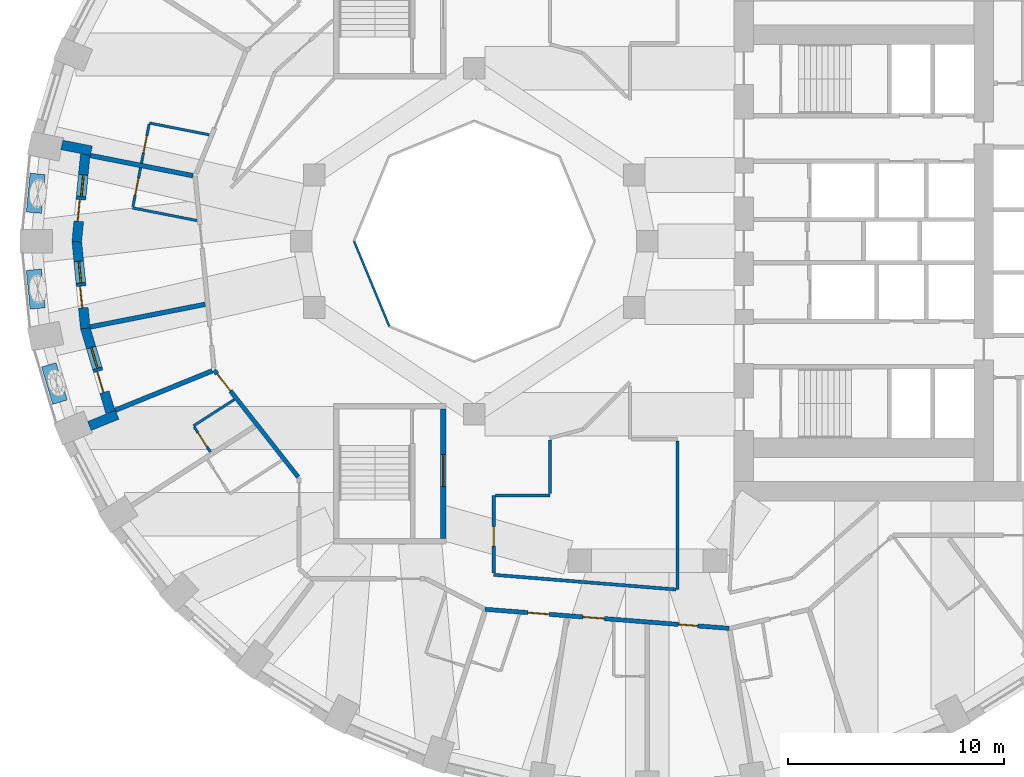
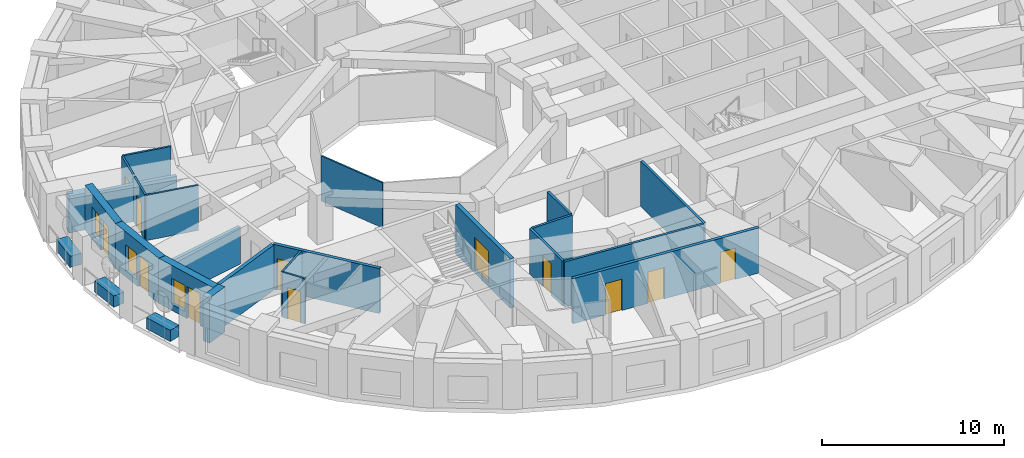
# One storey, part 4 of 13: 26 walls, 12 doors, 3 windows, 15 openings.
"""IFC4 building model written with IfcOpenShell, lengths in metres."""

from ifc_helpers import new_model, si_unit, direction, frame, frame_2d, origin, place, context, subcontext, project, spatial, rectangle, extrude, material, layer, layer_set, constituent, constituent_set, type_object, element, fill, save


model = new_model("IFC4")

# Units and contexts
model_context = context("Model", 3, precision=1e-05, world=origin(), true_north=direction((0.0, 1.0)))
body_context = subcontext(model_context, "Body", "Model", "MODEL_VIEW")
ifc_project = project(units=[si_unit("LENGTHUNIT", "METRE"), si_unit("AREAUNIT", "SQUARE_METRE"), si_unit("VOLUMEUNIT", "CUBIC_METRE"), si_unit("PLANEANGLEUNIT", "RADIAN"), si_unit("MASSUNIT", "GRAM", prefix="KILO")], contexts=[model_context])

# Site, building, storey
site_placement = place(None, origin())
site = spatial("IfcSite", under=ifc_project, at=site_placement, CompositionType="ELEMENT")
building_placement = place(site_placement, origin())
building = spatial("IfcBuilding", under=site, at=building_placement, Name="Taillehof Tower", CompositionType="ELEMENT")
storey_placement = place(building_placement, frame((0.0, 0.0, 61.300048828125)))
storey = spatial("IfcBuildingStorey", under=building, at=storey_placement, Name="L16", CompositionType="ELEMENT", Elevation=61.300048828125)

# Walls
ifc_material_1 = material(Name="Fire-resisting glass in steel frame", Category="steel")
ifc_layer_1 = layer(ifc_material_1, 0.10009765625)
ifc_layer_set_1 = layer_set([ifc_layer_1], Name="Atrium fire-resisting screen EI 60 100")
wall_type_1 = type_object("IfcWallType", Name="Atrium fire-resisting screen EI 60 100", PredefinedType="PARTITIONING", material=ifc_layer_set_1)
wall_1_placement = place(storey_placement, frame((-11.92724609375, -3.92724609375, 0.0), z_axis=(0.0, 0.0, 1.0), x_axis=(-0.382730523909, 0.923860025149, 0.0)))
element("IfcWall", 1, at=wall_1_placement, inside=storey, type_object=wall_type_1, Name="Atrium screen", PredefinedType="PARTITIONING", context=body_context, shape_type="SweptSolid", body=[
    extrude(rectangle(XDim=4.2509765625, YDim=0.10009765625, at=frame_2d((2.12548828125, 0.0))), origin(), (0.0, 0.0, 1.0), 3.02001953125),
])
ifc_material_2 = material(Name="Brick masonry", Category="masonry")
ifc_layer_2 = layer(ifc_material_2, 0.449951171875)
ifc_layer_set_2 = layer_set([ifc_layer_2], Name="Brick infill wall 450")
wall_type_2 = type_object("IfcWallType", Name="Brick infill wall 450", PredefinedType="SOLIDWALL", material=ifc_layer_set_2)
wall_2_placement = place(storey_placement, frame((-27.06396484375, 4.449951171875, 0.0), z_axis=(0.0, 0.0, 1.0), x_axis=(0.98123042829, -0.192838913596, 0.0)))
element("IfcWall", 2, at=wall_2_placement, inside=storey, type_object=wall_type_2, Name="Brick reveal L16 pocket 5", PredefinedType="SOLIDWALL", context=body_context, shape_type="SweptSolid", body=[
    extrude(rectangle(XDim=1.39013671875, YDim=0.449951171875, at=frame_2d((0.695068359375, 0.0))), origin(), (0.0, 0.0, 1.0), 2.469970703125),
])
wall_3_placement = place(storey_placement, frame((-25.795654296875, -8.54443359375, 0.0), z_axis=(0.0, 0.0, 1.0), x_axis=(0.926575599743, 0.376108572039, 0.0)))
element("IfcWall", 3, at=wall_3_placement, inside=storey, type_object=wall_type_2, Name="Brick reveal L16 pocket 5", PredefinedType="SOLIDWALL", context=body_context, shape_type="SweptSolid", body=[
    extrude(rectangle(XDim=1.390380859375, YDim=0.449951171875, at=frame_2d((0.6953125, 0.0))), origin(), (0.0, 0.0, 1.0), 3.02001953125),
])

# Wall, openings, door, window
wall_4_placement = place(storey_placement, frame((-25.982666015625, 4.008056640625, 0.0), z_axis=(0.0, 0.0, 1.0), x_axis=(-0.097133468736, -0.995271364629, 0.0)))
wall_4 = element("IfcWall", 4, at=wall_4_placement, inside=storey, type_object=wall_type_2, Name="Brick wall L16 pocket bay 18", PredefinedType="SOLIDWALL", context=body_context, shape_type="SweptSolid", body=[
    extrude(rectangle(XDim=4.049072265625, YDim=0.449951171875, at=frame_2d((2.0244140625, 0.0))), origin(), (0.0, 0.0, 1.0), 3.02001953125),
])
opening_1_placement = place(wall_4_placement, frame((0.949462890625, 0.0, 0.39990234375)))
opening_1 = element("IfcOpeningElement", 5, at=opening_1_placement, cuts=wall_4, Name="Opening W5", PredefinedType="OPENING", context=body_context, shape_type="SweptSolid", body=[
    extrude(rectangle(XDim=1.0, YDim=1.75, at=frame_2d((0.5, 0.875))), frame((0.0, 0.23486328125, 0.0), z_axis=(0.0, -1.0, 0.0), x_axis=(1.0, 0.0, 0.0)), (0.0, 0.0, 1.0), 0.469970703125),
])
opening_2_placement = place(wall_4_placement, frame((2.099609375, 0.0, 0.0)))
opening_2 = element("IfcOpeningElement", 6, at=opening_2_placement, cuts=wall_4, Name="Opening D1691", PredefinedType="OPENING", context=body_context, shape_type="SweptSolid", body=[
    extrude(rectangle(XDim=1.0, YDim=2.14990234375, at=frame_2d((0.5, 1.074951171875))), frame((0.0, 0.23486328125, 0.0), z_axis=(0.0, -1.0, 0.0), x_axis=(1.0, 0.0, 0.0)), (0.0, 0.0, 1.0), 0.469970703125),
])
ifc_material_3 = material(Name="Aluminium door frame with clear double glazing", Category="aluminium")
door_type_1 = type_object("IfcDoorType", Name="Balcony door 1000x2150", OperationType="SINGLE_SWING_RIGHT", PredefinedType="DOOR", material=ifc_material_3)
door_1_placement = place(opening_2_placement, frame((1.0, 0.0, 0.0), z_axis=(0.0, 0.0, 1.0), x_axis=(-1.0, 0.0, 0.0)))
door_1 = element("IfcDoor", 7, at=door_1_placement, inside=storey, type_object=door_type_1, Name="Balcony door L16 bay 18", OperationType="SINGLE_SWING_RIGHT", OverallHeight=2.14990234375, OverallWidth=1.0, PredefinedType="DOOR", context=body_context, shape_type="SweptSolid", body=[
    extrude(rectangle(XDim=1.0, YDim=2.14990234375, at=frame_2d((0.5, 1.074951171875))), frame((0.0, 0.0751953125, 0.0), z_axis=(0.0, -1.0, 0.0), x_axis=(1.0, 0.0, 0.0)), (0.0, 0.0, 1.0), 0.050048828125),
])
fill(opening_2, door_1)
ifc_material_4 = material(Name="Aluminium window frame with clear double glazing", Category="aluminium")
window_type = type_object("IfcWindowType", Name="Fixed window 1000x1750", PartitioningType="SINGLE_PANEL", PredefinedType="WINDOW", material=ifc_material_4)
window_1_placement = place(opening_1_placement, origin())
window_1 = element("IfcWindow", 8, at=window_1_placement, inside=storey, type_object=window_type, Name="W5", OverallHeight=1.75, OverallWidth=1.0, PartitioningType="SINGLE_PANEL", PredefinedType="WINDOW", context=body_context, shape_type="SweptSolid", body=[
    extrude(rectangle(XDim=1.0, YDim=1.75, at=frame_2d((0.5, 0.875))), frame((0.0, 0.034912109375, 0.0), z_axis=(0.0, -1.0, 0.0), x_axis=(1.0, 0.0, 0.0)), (0.0, 0.0, 1.0), 0.06005859375),
])
fill(opening_1, window_1)

wall_5_placement = place(storey_placement, frame((-26.3759765625, 0.02197265625, 0.0), z_axis=(0.0, 0.0, 1.0), x_axis=(0.097092719726, -0.995275340685, 0.0)))
wall_5 = element("IfcWall", 9, at=wall_5_placement, inside=storey, type_object=wall_type_2, Name="Brick wall L16 pocket bay 19", PredefinedType="SOLIDWALL", context=body_context, shape_type="SweptSolid", body=[
    extrude(rectangle(XDim=4.071044921875, YDim=0.449951171875, at=frame_2d((2.03564453125, 0.0))), origin(), (0.0, 0.0, 1.0), 3.02001953125),
])
opening_3_placement = place(wall_5_placement, frame((0.96044921875, 0.0, 0.39990234375)))
opening_3 = element("IfcOpeningElement", 10, at=opening_3_placement, cuts=wall_5, Name="Opening W5", PredefinedType="OPENING", context=body_context, shape_type="SweptSolid", body=[
    extrude(rectangle(XDim=1.0, YDim=1.75, at=frame_2d((0.5, 0.875))), frame((0.0, 0.23486328125, 0.0), z_axis=(0.0, -1.0, 0.0), x_axis=(1.0, 0.0, 0.0)), (0.0, 0.0, 1.0), 0.469970703125),
])
opening_4_placement = place(wall_5_placement, frame((2.110595703125, 0.0, 0.0)))
opening_4 = element("IfcOpeningElement", 11, at=opening_4_placement, cuts=wall_5, Name="Opening D1692", PredefinedType="OPENING", context=body_context, shape_type="SweptSolid", body=[
    extrude(rectangle(XDim=1.0, YDim=2.14990234375, at=frame_2d((0.5, 1.074951171875))), frame((0.0, 0.23486328125, 0.0), z_axis=(0.0, -1.0, 0.0), x_axis=(1.0, 0.0, 0.0)), (0.0, 0.0, 1.0), 0.469970703125),
])
door_2_placement = place(opening_4_placement, frame((1.0, 0.0, 0.0), z_axis=(0.0, 0.0, 1.0), x_axis=(-1.0, 0.0, 0.0)))
door_2 = element("IfcDoor", 12, at=door_2_placement, inside=storey, type_object=door_type_1, Name="Balcony door L16 bay 19", OperationType="SINGLE_SWING_LEFT", OverallHeight=2.14990234375, OverallWidth=1.0, PredefinedType="DOOR", context=body_context, shape_type="SweptSolid", body=[
    extrude(rectangle(XDim=1.0, YDim=2.14990234375, at=frame_2d((0.5, 1.074951171875))), frame((0.0, 0.0751953125, 0.0), z_axis=(0.0, -1.0, 0.0), x_axis=(1.0, 0.0, 0.0)), (0.0, 0.0, 1.0), 0.050048828125),
])
fill(opening_4, door_2)
window_2_placement = place(opening_3_placement, origin())
window_2 = element("IfcWindow", 13, at=window_2_placement, inside=storey, type_object=window_type, Name="W5", OverallHeight=1.75, OverallWidth=1.0, PartitioningType="SINGLE_PANEL", PredefinedType="WINDOW", context=body_context, shape_type="SweptSolid", body=[
    extrude(rectangle(XDim=1.0, YDim=1.75, at=frame_2d((0.5, 0.875))), frame((0.0, 0.034912109375, 0.0), z_axis=(0.0, -1.0, 0.0), x_axis=(1.0, 0.0, 0.0)), (0.0, 0.0, 1.0), 0.06005859375),
])
fill(opening_3, window_2)

wall_6_placement = place(storey_placement, frame((-25.989013671875, -3.9873046875, 0.0), z_axis=(0.0, 0.0, 1.0), x_axis=(0.286427456555, -0.958101932015, 0.0)))
wall_6 = element("IfcWall", 14, at=wall_6_placement, inside=storey, type_object=wall_type_2, Name="Brick wall L16 pocket bay 20", PredefinedType="SOLIDWALL", context=body_context, shape_type="SweptSolid", body=[
    extrude(rectangle(XDim=4.0888671875, YDim=0.449951171875, at=frame_2d((2.04443359375, 0.0))), origin(), (0.0, 0.0, 1.0), 3.02001953125),
])
opening_5_placement = place(wall_6_placement, frame((0.969482421875, 0.0, 0.39990234375)))
opening_5 = element("IfcOpeningElement", 15, at=opening_5_placement, cuts=wall_6, Name="Opening W5", PredefinedType="OPENING", context=body_context, shape_type="SweptSolid", body=[
    extrude(rectangle(XDim=1.0, YDim=1.75, at=frame_2d((0.5, 0.875))), frame((0.0, 0.23486328125, 0.0), z_axis=(0.0, -1.0, 0.0), x_axis=(1.0, 0.0, 0.0)), (0.0, 0.0, 1.0), 0.469970703125),
])
opening_6_placement = place(wall_6_placement, frame((2.119384765625, 0.0, 0.0)))
opening_6 = element("IfcOpeningElement", 16, at=opening_6_placement, cuts=wall_6, Name="Opening D1693", PredefinedType="OPENING", context=body_context, shape_type="SweptSolid", body=[
    extrude(rectangle(XDim=1.0, YDim=2.14990234375, at=frame_2d((0.5, 1.074951171875))), frame((0.0, 0.23486328125, 0.0), z_axis=(0.0, -1.0, 0.0), x_axis=(1.0, 0.0, 0.0)), (0.0, 0.0, 1.0), 0.469970703125),
])
door_3_placement = place(opening_6_placement, frame((1.0, 0.0, 0.0), z_axis=(0.0, 0.0, 1.0), x_axis=(-1.0, 0.0, 0.0)))
door_3 = element("IfcDoor", 17, at=door_3_placement, inside=storey, type_object=door_type_1, Name="Balcony door L16 bay 20", OperationType="SINGLE_SWING_LEFT", OverallHeight=2.14990234375, OverallWidth=1.0, PredefinedType="DOOR", context=body_context, shape_type="SweptSolid", body=[
    extrude(rectangle(XDim=1.0, YDim=2.14990234375, at=frame_2d((0.5, 1.074951171875))), frame((0.0, 0.0751953125, 0.0), z_axis=(0.0, -1.0, 0.0), x_axis=(1.0, 0.0, 0.0)), (0.0, 0.0, 1.0), 0.050048828125),
])
fill(opening_6, door_3)
window_3_placement = place(opening_5_placement, origin())
window_3 = element("IfcWindow", 18, at=window_3_placement, inside=storey, type_object=window_type, Name="W5", OverallHeight=1.75, OverallWidth=1.0, PartitioningType="SINGLE_PANEL", PredefinedType="WINDOW", context=body_context, shape_type="SweptSolid", body=[
    extrude(rectangle(XDim=1.0, YDim=1.75, at=frame_2d((0.5, 0.875))), frame((0.0, 0.034912109375, 0.0), z_axis=(0.0, -1.0, 0.0), x_axis=(1.0, 0.0, 0.0)), (0.0, 0.0, 1.0), 0.06005859375),
])
fill(opening_5, window_3)

# Wall, openings, doors
ifc_material_5 = material(Name="Gypsum board on steel studs, two layers each side", Category="steel")
ifc_layer_3 = layer(ifc_material_5, 0.199951171875)
ifc_layer_set_3 = layer_set([ifc_layer_3], Name="Compartment wall corridor 200")
wall_type_3 = type_object("IfcWallType", Name="Compartment wall corridor 200", PredefinedType="PARTITIONING", material=ifc_layer_set_3)
wall_7_placement = place(storey_placement, frame((3.77783203125, -17.897705078125, 0.0), z_axis=(0.0, 0.0, 1.0), x_axis=(-0.996963005503, 0.077876605336, 0.0)))
wall_7 = element("IfcWall", 19, at=wall_7_placement, inside=storey, type_object=wall_type_3, Name="Compartment wall", PredefinedType="PARTITIONING", context=body_context, shape_type="SweptSolid", body=[
    extrude(rectangle(XDim=11.31103515625, YDim=0.199951171875, at=frame_2d((5.655517578125, 0.0))), origin(), (0.0, 0.0, 1.0), 3.02001953125),
])
opening_7_placement = place(wall_7_placement, frame((8.32958984375, 0.0, 0.0)))
opening_7 = element("IfcOpeningElement", 20, at=opening_7_placement, cuts=wall_7, Name="Opening D1666", PredefinedType="OPENING", context=body_context, shape_type="SweptSolid", body=[
    extrude(rectangle(XDim=1.0, YDim=2.10009765625, at=frame_2d((0.5, 1.050048828125))), frame((0.0, 0.10986328125, 0.0), z_axis=(0.0, -1.0, 0.0), x_axis=(1.0, 0.0, 0.0)), (0.0, 0.0, 1.0), 0.219970703125),
])
opening_8_placement = place(wall_7_placement, frame((5.77001953125, 0.0, 0.0)))
opening_8 = element("IfcOpeningElement", 21, at=opening_8_placement, cuts=wall_7, Name="Opening D1668", PredefinedType="OPENING", context=body_context, shape_type="SweptSolid", body=[
    extrude(rectangle(XDim=1.0, YDim=2.10009765625, at=frame_2d((0.5, 1.050048828125))), frame((0.0, 0.10986328125, 0.0), z_axis=(0.0, -1.0, 0.0), x_axis=(1.0, 0.0, 0.0)), (0.0, 0.0, 1.0), 0.219970703125),
])
opening_9_placement = place(wall_7_placement, frame((1.44970703125, 0.0, 0.0)))
opening_9 = element("IfcOpeningElement", 22, at=opening_9_placement, cuts=wall_7, Name="Opening D1670", PredefinedType="OPENING", context=body_context, shape_type="SweptSolid", body=[
    extrude(rectangle(XDim=0.89990234375, YDim=2.10009765625, at=frame_2d((0.449951171875, 1.050048828125))), frame((0.0, 0.10986328125, 0.0), z_axis=(0.0, -1.0, 0.0), x_axis=(1.0, 0.0, 0.0)), (0.0, 0.0, 1.0), 0.219970703125),
])
ifc_material_6 = material(Name="Timber door leaf in steel frame", Category="steel")
door_type_2 = type_object("IfcDoorType", Name="Guest room door EI 30 1000 x 2100", OperationType="SINGLE_SWING_LEFT", PredefinedType="DOOR", material=ifc_material_6)
door_4_placement = place(opening_7_placement, origin())
door_4 = element("IfcDoor", 23, at=door_4_placement, inside=storey, type_object=door_type_2, Name="D1666", OperationType="SINGLE_SWING_RIGHT", OverallHeight=2.10009765625, OverallWidth=1.0, PredefinedType="DOOR", context=body_context, shape_type="SweptSolid", body=[
    extrude(rectangle(XDim=1.0, YDim=2.10009765625, at=frame_2d((0.5, 1.050048828125))), frame((0.0, 0.02490234375, 0.0), z_axis=(0.0, -1.0, 0.0), x_axis=(1.0, 0.0, 0.0)), (0.0, 0.0, 1.0), 0.050048828125),
])
fill(opening_7, door_4)
door_5_placement = place(opening_8_placement, origin())
door_5 = element("IfcDoor", 24, at=door_5_placement, inside=storey, type_object=door_type_2, Name="D1668", OperationType="SINGLE_SWING_LEFT", OverallHeight=2.10009765625, OverallWidth=1.0, PredefinedType="DOOR", context=body_context, shape_type="SweptSolid", body=[
    extrude(rectangle(XDim=1.0, YDim=2.10009765625, at=frame_2d((0.5, 1.050048828125))), frame((0.0, 0.02490234375, 0.0), z_axis=(0.0, -1.0, 0.0), x_axis=(1.0, 0.0, 0.0)), (0.0, 0.0, 1.0), 0.050048828125),
])
fill(opening_8, door_5)
ifc_material_7 = material(Name="Timber door leaf in steel frame", Category="steel")
door_type_3 = type_object("IfcDoorType", Name="Service room door EI 30 900 x 2100", OperationType="SINGLE_SWING_LEFT", PredefinedType="DOOR", material=ifc_material_7)
door_6_placement = place(opening_9_placement, origin())
door_6 = element("IfcDoor", 25, at=door_6_placement, inside=storey, type_object=door_type_3, Name="D1670", OperationType="SINGLE_SWING_RIGHT", OverallHeight=2.10009765625, OverallWidth=0.89990234375, PredefinedType="DOOR", context=body_context, shape_type="SweptSolid", body=[
    extrude(rectangle(XDim=0.89990234375, YDim=2.10009765625, at=frame_2d((0.449951171875, 1.050048828125))), frame((0.0, 0.02490234375, 0.0), z_axis=(0.0, -1.0, 0.0), x_axis=(1.0, 0.0, 0.0)), (0.0, 0.0, 1.0), 0.050048828125),
])
fill(opening_9, door_6)

# Wall, opening, door
wall_8_placement = place(storey_placement, frame((-16.137451171875, -10.904052734375, 0.0), z_axis=(0.0, 0.0, 1.0), x_axis=(-0.617888403737, 0.786265807808, 0.0)))
wall_8 = element("IfcWall", 26, at=wall_8_placement, inside=storey, type_object=wall_type_3, Name="Compartment wall", PredefinedType="PARTITIONING", context=body_context, shape_type="SweptSolid", body=[
    extrude(rectangle(XDim=6.2900390625, YDim=0.199951171875, at=frame_2d((3.14501953125, 0.0))), origin(), (0.0, 0.0, 1.0), 3.02001953125),
])
opening_10_placement = place(wall_8_placement, frame((5.06982421875, 0.0, 0.0)))
opening_10 = element("IfcOpeningElement", 27, at=opening_10_placement, cuts=wall_8, Name="Opening D1660", PredefinedType="OPENING", context=body_context, shape_type="SweptSolid", body=[
    extrude(rectangle(XDim=1.0, YDim=2.10009765625, at=frame_2d((0.5, 1.050048828125))), frame((0.0, 0.10986328125, 0.0), z_axis=(0.0, -1.0, 0.0), x_axis=(1.0, 0.0, 0.0)), (0.0, 0.0, 1.0), 0.219970703125),
])
door_7_placement = place(opening_10_placement, origin())
door_7 = element("IfcDoor", 28, at=door_7_placement, inside=storey, type_object=door_type_2, Name="D1660", OperationType="SINGLE_SWING_RIGHT", OverallHeight=2.10009765625, OverallWidth=1.0, PredefinedType="DOOR", context=body_context, shape_type="SweptSolid", body=[
    extrude(rectangle(XDim=1.0, YDim=2.10009765625, at=frame_2d((0.5, 1.050048828125))), frame((0.0, 0.02490234375, 0.0), z_axis=(0.0, -1.0, 0.0), x_axis=(1.0, 0.0, 0.0)), (0.0, 0.0, 1.0), 0.050048828125),
])
fill(opening_10, door_7)

# Walls
ifc_material_8 = material(Name="Gypsum board on double steel studs with mineral wool", Category="steel")
ifc_layer_4 = layer(ifc_material_8, 0.219970703125)
ifc_layer_set_4 = layer_set([ifc_layer_4], Name="Compartment wall guest room 220")
wall_type_4 = type_object("IfcWallType", Name="Compartment wall guest room 220", PredefinedType="PARTITIONING", material=ifc_layer_set_4)
wall_9_placement = place(storey_placement, frame((-25.760986328125, 3.96435546875, 0.0), z_axis=(0.0, 0.0, 1.0), x_axis=(0.981216494224, -0.192909801364, 0.0)))
element("IfcWall", 29, at=wall_9_placement, inside=storey, type_object=wall_type_4, Name="Compartment wall", PredefinedType="PARTITIONING", context=body_context, shape_type="SweptSolid", body=[
    extrude(rectangle(XDim=4.848388671875, YDim=0.219970703125, at=frame_2d((2.42431640625, 0.0))), origin(), (0.0, 0.0, 1.0), 2.469970703125),
])
wall_10_placement = place(storey_placement, frame((-25.760986328125, -3.96435546875, 0.0), z_axis=(0.0, 0.0, 1.0), x_axis=(0.981209698951, 0.192944361627, 0.0)))
element("IfcWall", 30, at=wall_10_placement, inside=storey, type_object=wall_type_4, Name="Compartment wall", PredefinedType="PARTITIONING", context=body_context, shape_type="SweptSolid", body=[
    extrude(rectangle(XDim=5.41943359375, YDim=0.219970703125, at=frame_2d((2.709716796875, 0.0))), origin(), (0.0, 0.0, 1.0), 2.469970703125),
])
wall_11_placement = place(storey_placement, frame((-24.6083984375, -7.81982421875, 0.0), z_axis=(0.0, 0.0, 1.0), x_axis=(0.92655764882, 0.376152792643, 0.0)))
element("IfcWall", 31, at=wall_11_placement, inside=storey, type_object=wall_type_4, Name="Compartment wall", PredefinedType="PARTITIONING", context=body_context, shape_type="SweptSolid", body=[
    extrude(rectangle(XDim=4.84765625, YDim=0.219970703125, at=frame_2d((2.423828125, 0.0))), origin(), (0.0, 0.0, 1.0), 3.02001953125),
])
ifc_material_9 = material(Name="Gypsum board on steel studs, two layers each side", Category="steel")
ifc_layer_5 = layer(ifc_material_9, 0.14990234375)
ifc_layer_set_5 = layer_set([ifc_layer_5], Name="Compartment wall service room 150")
wall_type_5 = type_object("IfcWallType", Name="Compartment wall service room 150", PredefinedType="PARTITIONING", material=ifc_layer_set_5)
wall_12_placement = place(storey_placement, frame((1.39990234375, -9.22998046875, 0.0), z_axis=(0.0, 0.0, 1.0), x_axis=(0.0, -1.0, 0.0)))
element("IfcWall", 32, at=wall_12_placement, inside=storey, type_object=wall_type_5, Name="Compartment wall", PredefinedType="PARTITIONING", context=body_context, shape_type="SweptSolid", body=[
    extrude(rectangle(XDim=6.876953125, YDim=0.14990234375, at=frame_2d((3.4384765625, 0.0))), origin(), (0.0, 0.0, 1.0), 3.02001953125),
])
wall_13_placement = place(storey_placement, frame((1.31982421875, -16.10009765625, 0.0), z_axis=(0.0, 0.0, 1.0), x_axis=(-0.996773882711, 0.080260991426, 0.0)))
element("IfcWall", 33, at=wall_13_placement, inside=storey, type_object=wall_type_5, Name="Compartment wall", PredefinedType="PARTITIONING", context=body_context, shape_type="SweptSolid", body=[
    extrude(rectangle(XDim=8.447265625, YDim=0.14990234375, at=frame_2d((4.2236328125, 0.0))), origin(), (0.0, 0.0, 1.0), 3.02001953125),
])

# Wall, opening, door
wall_14_placement = place(storey_placement, frame((-7.10009765625, -15.342041015625, 0.0), z_axis=(0.0, 0.0, 1.0), x_axis=(0.0, 1.0, 0.0)))
wall_14 = element("IfcWall", 34, at=wall_14_placement, inside=storey, type_object=wall_type_5, Name="Compartment wall", PredefinedType="PARTITIONING", context=body_context, shape_type="SweptSolid", body=[
    extrude(rectangle(XDim=3.592041015625, YDim=0.14990234375, at=frame_2d((1.7958984375, 0.0))), origin(), (0.0, 0.0, 1.0), 3.02001953125),
])
opening_11_placement = place(wall_14_placement, frame((1.24365234375, 0.0, 0.0)))
opening_11 = element("IfcOpeningElement", 35, at=opening_11_placement, cuts=wall_14, Name="Opening D1681", PredefinedType="OPENING", context=body_context, shape_type="SweptSolid", body=[
    extrude(rectangle(XDim=0.89990234375, YDim=2.10009765625, at=frame_2d((0.449951171875, 1.050048828125))), frame((0.0, 0.0849609375, 0.0), z_axis=(0.0, -1.0, 0.0), x_axis=(1.0, 0.0, 0.0)), (0.0, 0.0, 1.0), 0.169921875),
])
door_8_placement = place(opening_11_placement, origin())
door_8 = element("IfcDoor", 36, at=door_8_placement, inside=storey, type_object=door_type_3, Name="D1681", OperationType="SINGLE_SWING_RIGHT", OverallHeight=2.10009765625, OverallWidth=0.89990234375, PredefinedType="DOOR", context=body_context, shape_type="SweptSolid", body=[
    extrude(rectangle(XDim=0.89990234375, YDim=2.10009765625, at=frame_2d((0.449951171875, 1.050048828125))), frame((0.0, 0.02490234375, 0.0), z_axis=(0.0, -1.0, 0.0), x_axis=(1.0, 0.0, 0.0)), (0.0, 0.0, 1.0), 0.050048828125),
])
fill(opening_11, door_8)

# Walls
wall_15_placement = place(storey_placement, frame((-7.02001953125, -11.75, 0.0), z_axis=(0.0, 0.0, 1.0), x_axis=(1.0, 0.0, 0.0)))
element("IfcWall", 37, at=wall_15_placement, inside=storey, type_object=wall_type_5, Name="Compartment wall", PredefinedType="PARTITIONING", context=body_context, shape_type="SweptSolid", body=[
    extrude(rectangle(XDim=2.52001953125, YDim=0.14990234375, at=frame_2d((1.260009765625, 0.0))), origin(), (0.0, 0.0, 1.0), 3.02001953125),
])
wall_16_placement = place(storey_placement, frame((-4.5, -11.669921875, 0.0), z_axis=(0.0, 0.0, 1.0), x_axis=(0.0, 1.0, 0.0)))
element("IfcWall", 38, at=wall_16_placement, inside=storey, type_object=wall_type_5, Name="Compartment wall", PredefinedType="PARTITIONING", context=body_context, shape_type="SweptSolid", body=[
    extrude(rectangle(XDim=2.485595703125, YDim=0.14990234375, at=frame_2d((1.24267578125, 0.0))), origin(), (0.0, 0.0, 1.0), 3.02001953125),
])
ifc_material_10 = material(Name="Gypsum board on steel studs, moisture resistant", Category="steel")
ifc_layer_6 = layer(ifc_material_10, 0.1201171875)
ifc_layer_set_6 = layer_set([ifc_layer_6], Name="En-suite wall 120")
wall_type_6 = type_object("IfcWallType", Name="En-suite wall 120", PredefinedType="PARTITIONING", material=ifc_layer_set_6)
wall_17_placement = place(storey_placement, frame((-20.2568359375, 4.920166015625, 0.0), z_axis=(0.0, 0.0, 1.0), x_axis=(-0.981202530622, 0.192980812261, 0.0)))
element("IfcWall", 39, at=wall_17_placement, inside=storey, type_object=wall_type_6, Name="En-suite wall", PredefinedType="PARTITIONING", context=body_context, shape_type="SweptSolid", body=[
    extrude(rectangle(XDim=2.816162109375, YDim=0.1201171875, at=frame_2d((1.408203125, 0.0))), origin(), (0.0, 0.0, 1.0), 3.02001953125),
])
wall_18_placement = place(storey_placement, frame((-20.823486328125, 0.955078125, 0.0), z_axis=(0.0, 0.0, 1.0), x_axis=(-0.981208735185, 0.192949262754, 0.0)))
element("IfcWall", 40, at=wall_18_placement, inside=storey, type_object=wall_type_6, Name="En-suite wall", PredefinedType="PARTITIONING", context=body_context, shape_type="SweptSolid", body=[
    extrude(rectangle(XDim=3.025390625, YDim=0.1201171875, at=frame_2d((1.5126953125, 0.0))), origin(), (0.0, 0.0, 1.0), 3.02001953125),
])
wall_19_placement = place(storey_placement, frame((-19.083984375, -7.316162109375, 0.0), z_axis=(0.0, 0.0, 1.0), x_axis=(-0.840762836723, -0.54140359473, 0.0)))
element("IfcWall", 41, at=wall_19_placement, inside=storey, type_object=wall_type_6, Name="En-suite wall", PredefinedType="PARTITIONING", context=body_context, shape_type="SweptSolid", body=[
    extrude(rectangle(XDim=2.25341796875, YDim=0.1201171875, at=frame_2d((1.126708984375, 0.0))), origin(), (0.0, 0.0, 1.0), 3.02001953125),
])

# Wall, opening, door
wall_20_placement = place(storey_placement, frame((-23.03173828125, 5.405029296875, 0.0), z_axis=(0.0, 0.0, 1.0), x_axis=(-0.19288291118, -0.981221780524, 0.0)))
wall_20 = element("IfcWall", 42, at=wall_20_placement, inside=storey, type_object=wall_type_6, Name="En-suite wall", PredefinedType="PARTITIONING", context=body_context, shape_type="SweptSolid", body=[
    extrude(rectangle(XDim=1.830322265625, YDim=0.1201171875, at=frame_2d((0.9150390625, 0.0))), origin(), (0.0, 0.0, 1.0), 3.02001953125),
])
opening_12_placement = place(wall_20_placement, frame((0.5400390625, 0.0, 0.0)))
opening_12 = element("IfcOpeningElement", 43, at=opening_12_placement, cuts=wall_20, Name="Opening D1656", PredefinedType="OPENING", context=body_context, shape_type="SweptSolid", body=[
    extrude(rectangle(XDim=0.800048828125, YDim=2.10009765625, at=frame_2d((0.39990234375, 1.050048828125))), frame((0.0, 0.070068359375, 0.0), z_axis=(0.0, -1.0, 0.0), x_axis=(1.0, 0.0, 0.0)), (0.0, 0.0, 1.0), 0.14013671875),
])
ifc_material_11 = material(Name="Timber door leaf in steel frame", Category="steel")
door_type_4 = type_object("IfcDoorType", Name="En-suite door 800 x 2100", OperationType="SINGLE_SWING_LEFT", PredefinedType="DOOR", material=ifc_material_11)
door_9_placement = place(opening_12_placement, origin())
door_9 = element("IfcDoor", 44, at=door_9_placement, inside=storey, type_object=door_type_4, Name="D1656", OperationType="SINGLE_SWING_LEFT", OverallHeight=2.10009765625, OverallWidth=0.800048828125, PredefinedType="DOOR", context=body_context, shape_type="SweptSolid", body=[
    extrude(rectangle(XDim=0.800048828125, YDim=2.10009765625, at=frame_2d((0.39990234375, 1.050048828125))), frame((0.0, 0.02490234375, 0.0), z_axis=(0.0, -1.0, 0.0), x_axis=(1.0, 0.0, 0.0)), (0.0, 0.0, 1.0), 0.050048828125),
])
fill(opening_12, door_9)

wall_21_placement = place(storey_placement, frame((-23.780517578125, 1.59765625, 0.0), z_axis=(0.0, 0.0, 1.0), x_axis=(0.193036598643, 0.981191557029, 0.0)))
wall_21 = element("IfcWall", 45, at=wall_21_placement, inside=storey, type_object=wall_type_6, Name="En-suite wall", PredefinedType="PARTITIONING", context=body_context, shape_type="SweptSolid", body=[
    extrude(rectangle(XDim=1.830078125, YDim=0.1201171875, at=frame_2d((0.9150390625, 0.0))), origin(), (0.0, 0.0, 1.0), 3.02001953125),
])
opening_13_placement = place(wall_21_placement, frame((0.5400390625, 0.0, 0.0)))
opening_13 = element("IfcOpeningElement", 46, at=opening_13_placement, cuts=wall_21, Name="Opening D1658", PredefinedType="OPENING", context=body_context, shape_type="SweptSolid", body=[
    extrude(rectangle(XDim=0.800048828125, YDim=2.10009765625, at=frame_2d((0.39990234375, 1.050048828125))), frame((0.0, 0.070068359375, 0.0), z_axis=(0.0, -1.0, 0.0), x_axis=(1.0, 0.0, 0.0)), (0.0, 0.0, 1.0), 0.14013671875),
])
door_10_placement = place(opening_13_placement, origin())
door_10 = element("IfcDoor", 47, at=door_10_placement, inside=storey, type_object=door_type_4, Name="D1658", OperationType="SINGLE_SWING_RIGHT", OverallHeight=2.10009765625, OverallWidth=0.800048828125, PredefinedType="DOOR", context=body_context, shape_type="SweptSolid", body=[
    extrude(rectangle(XDim=0.800048828125, YDim=2.10009765625, at=frame_2d((0.39990234375, 1.050048828125))), frame((0.0, 0.02490234375, 0.0), z_axis=(0.0, -1.0, 0.0), x_axis=(1.0, 0.0, 0.0)), (0.0, 0.0, 1.0), 0.050048828125),
])
fill(opening_13, door_10)

wall_22_placement = place(storey_placement, frame((-20.9462890625, -8.586669921875, 0.0), z_axis=(0.0, 0.0, 1.0), x_axis=(0.541526323973, -0.840683793375, 0.0)))
wall_22 = element("IfcWall", 48, at=wall_22_placement, inside=storey, type_object=wall_type_6, Name="En-suite wall", PredefinedType="PARTITIONING", context=body_context, shape_type="SweptSolid", body=[
    extrude(rectangle(XDim=1.380126953125, YDim=0.1201171875, at=frame_2d((0.68994140625, 0.0))), origin(), (0.0, 0.0, 1.0), 3.02001953125),
])
opening_14_placement = place(wall_22_placement, frame((0.31494140625, 0.0, 0.0)))
opening_14 = element("IfcOpeningElement", 49, at=opening_14_placement, cuts=wall_22, Name="Opening D1661", PredefinedType="OPENING", context=body_context, shape_type="SweptSolid", body=[
    extrude(rectangle(XDim=0.800048828125, YDim=2.10009765625, at=frame_2d((0.39990234375, 1.050048828125))), frame((0.0, 0.070068359375, 0.0), z_axis=(0.0, -1.0, 0.0), x_axis=(1.0, 0.0, 0.0)), (0.0, 0.0, 1.0), 0.14013671875),
])
door_11_placement = place(opening_14_placement, origin())
door_11 = element("IfcDoor", 50, at=door_11_placement, inside=storey, type_object=door_type_4, Name="D1661", OperationType="SINGLE_SWING_LEFT", OverallHeight=2.10009765625, OverallWidth=0.800048828125, PredefinedType="DOOR", context=body_context, shape_type="SweptSolid", body=[
    extrude(rectangle(XDim=0.800048828125, YDim=2.10009765625, at=frame_2d((0.39990234375, 1.050048828125))), frame((0.0, 0.02490234375, 0.0), z_axis=(0.0, -1.0, 0.0), x_axis=(1.0, 0.0, 0.0)), (0.0, 0.0, 1.0), 0.050048828125),
])
fill(opening_14, door_11)

# Walls
ifc_material_12 = material(Name="Concrete C30/37 precast", Category="concrete")
ifc_constituent_1 = constituent(ifc_material_12, Name="Structure", Category="concrete")
ifc_material_13 = material(Name="Insulated lining")
ifc_constituent_2 = constituent(ifc_material_13, Name="Lining")
ifc_constituent_set = constituent_set(constituents=[ifc_constituent_1, ifc_constituent_2], Name="Planter trough 700x750")
wall_type_7 = type_object("IfcWallType", Name="Planter trough 700x750", PredefinedType="USERDEFINED", material=ifc_constituent_set)
for number, where, z_axis, x_axis, name in (
    (51, (-28.18310546875, 3.11083984375, 0.0), (0.0, 0.0, 1.0), (-0.097381768628, -0.995247100543, 0.0), "Planter L16 bay 18"),
    (52, (-28.3583984375, -1.3193359375, 0.0), (0.0, 0.0, 1.0), (0.097381768628, -0.995247100543, 0.0), "Planter L16 bay 19"),
):
    element("IfcWall", number, at=place(storey_placement, frame(where, z_axis=z_axis, x_axis=x_axis)), inside=storey, type_object=wall_type_7, Name=name, ObjectType="PLANTER", PredefinedType="USERDEFINED", context=body_context, shape_type="SweptSolid", body=[
        extrude(rectangle(XDim=1.800048828125, YDim=0.699951171875, at=frame_2d((0.89990234375, 0.0))), origin(), (0.0, 0.0, 1.0), 0.75),
    ])
wall_23_placement = place(storey_placement, frame((-27.668701171875, -5.71533203125, 0.0), z_axis=(0.0, 0.0, 1.0), x_axis=(0.287024312863, -0.957923297465, 0.0)))
element("IfcWall", 53, at=wall_23_placement, inside=storey, type_object=wall_type_7, Name="Planter L16 bay 20", ObjectType="PLANTER", PredefinedType="USERDEFINED", context=body_context, shape_type="SweptSolid", body=[
    extrude(rectangle(XDim=1.7998046875, YDim=0.699951171875, at=frame_2d((0.89990234375, 0.0))), origin(), (0.0, 0.0, 1.0), 0.75),
])

# Wall, opening, door
ifc_material_14 = material(Name="Concrete C50/60", Category="concrete")
ifc_layer_7 = layer(ifc_material_14, 0.25)
ifc_layer_set_7 = layer_set([ifc_layer_7], Name="Stair wall C50/60 250")
wall_type_8 = type_object("IfcWallType", Name="Stair wall C50/60 250", PredefinedType="SHEAR", material=ifc_layer_set_7)
wall_24_placement = place(storey_placement, frame((-9.425048828125, -13.75, -0.280029296875), z_axis=(0.0, 0.0, 1.0), x_axis=(0.0, 1.0, 0.0)))
wall_24 = element("IfcWall", 54, at=wall_24_placement, inside=storey, type_object=wall_type_8, Name="Stair wall SC", PredefinedType="SHEAR", context=body_context, shape_type="SweptSolid", body=[
    extrude(rectangle(XDim=6.0, YDim=0.25, at=frame_2d((3.0, 0.0))), origin(), (0.0, 0.0, 1.0), 3.300048828125),
])
opening_15_placement = place(wall_24_placement, frame((2.39990234375, 0.0, 0.280029296875)))
opening_15 = element("IfcOpeningElement", 55, at=opening_15_placement, cuts=wall_24, Name="Opening D1620", PredefinedType="OPENING", context=body_context, shape_type="SweptSolid", body=[
    extrude(rectangle(XDim=1.5, YDim=2.10009765625, at=frame_2d((0.75, 1.050048828125))), frame((0.0, 0.135009765625, 0.0), z_axis=(0.0, -1.0, 0.0), x_axis=(1.0, 0.0, 0.0)), (0.0, 0.0, 1.0), 0.27001953125),
])
ifc_material_15 = material(Name="Steel-faced fire door", Category="steel")
door_type_5 = type_object("IfcDoorType", Name="Stair door 1500x2100", OperationType="DOUBLE_DOOR_SINGLE_SWING", PredefinedType="DOOR", material=ifc_material_15)
door_12_placement = place(opening_15_placement, origin())
door_12 = element("IfcDoor", 56, at=door_12_placement, inside=storey, type_object=door_type_5, Name="Stair door S4", OperationType="DOUBLE_DOOR_SINGLE_SWING", OverallHeight=2.10009765625, OverallWidth=1.5, PredefinedType="DOOR", context=body_context, shape_type="SweptSolid", body=[
    extrude(rectangle(XDim=1.5, YDim=2.10009765625, at=frame_2d((0.75, 1.050048828125))), frame((0.0, 0.02490234375, 0.0), z_axis=(0.0, -1.0, 0.0), x_axis=(1.0, 0.0, 0.0)), (0.0, 0.0, 1.0), 0.050048828125),
])
fill(opening_15, door_12)

save(model, "model.ifc")
